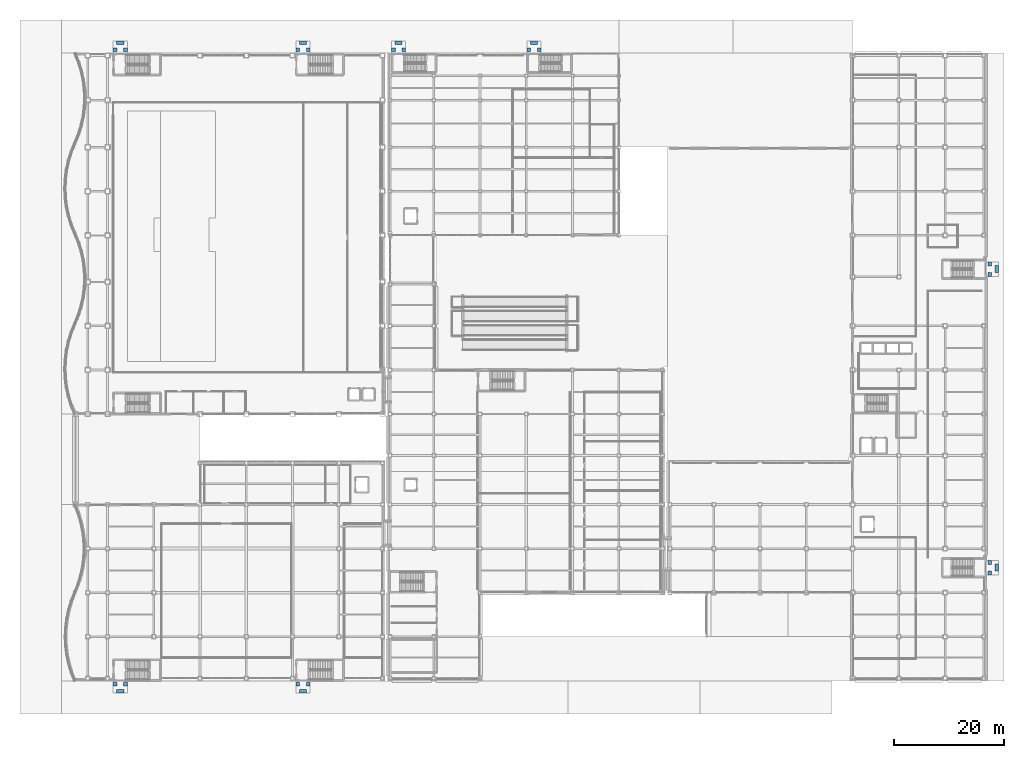
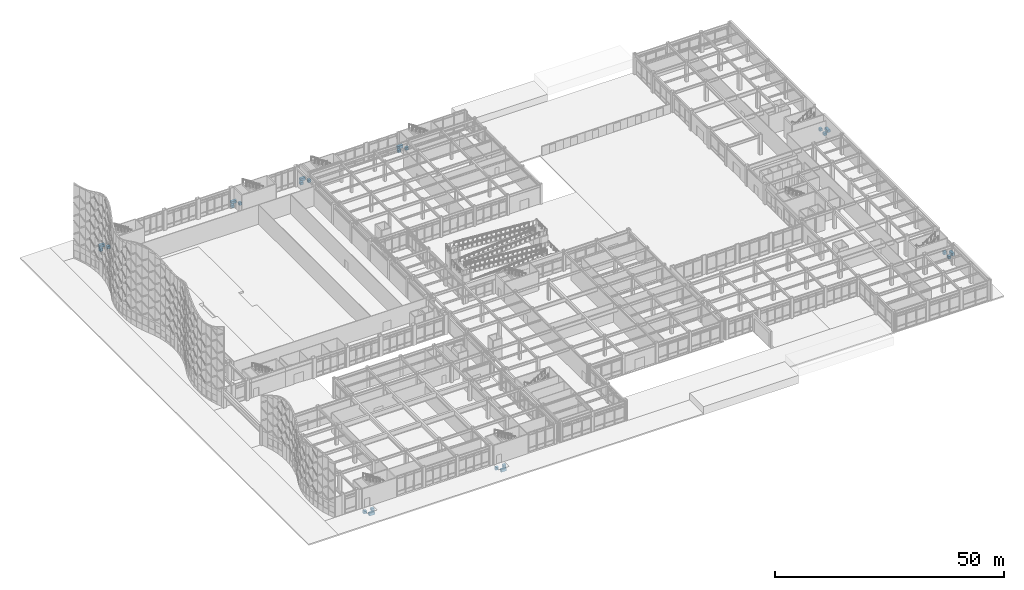
# One storey, part 1 of 165: 24 footings.
"""IFC4 building model written with IfcOpenShell, lengths in metres."""

from ifc_helpers import new_model, si_unit, direction, frame, origin, place, context, subcontext, project, spatial, polyline, outline, extrude, material, type_object, element, save


model = new_model("IFC4")

# Units and contexts
model_context = context("Model", 3, precision=1e-05, world=origin(), true_north=direction((0.0, 1.0)))
body_context = subcontext(model_context, "Body", "Model", "MODEL_VIEW")
ifc_project = project(units=[si_unit("LENGTHUNIT", "METRE"), si_unit("AREAUNIT", "SQUARE_METRE"), si_unit("VOLUMEUNIT", "CUBIC_METRE"), si_unit("PLANEANGLEUNIT", "RADIAN"), si_unit("MASSUNIT", "GRAM", prefix="KILO")], contexts=[model_context])

# Site, building, storey
site_placement = place(None, origin())
site = spatial("IfcSite", under=ifc_project, at=site_placement, CompositionType="ELEMENT")
building_placement = place(site_placement, origin())
building = spatial("IfcBuilding", under=site, at=building_placement, Name="Kazehara Bluff Congress Hotel", CompositionType="ELEMENT")
storey_placement = place(building_placement, origin())
storey = spatial("IfcBuildingStorey", under=building, at=storey_placement, Name="L00", CompositionType="ELEMENT", Elevation=0.0)

# Footings
ifc_material = material(Name="Concrete C36/45", Category="concrete")
footing_type = type_object("IfcFootingType", Name="TP-SF-RMP", PredefinedType="STRIP_FOOTING", material=ifc_material)
footing_1_placement = place(storey_placement, frame((0.0, 0.0, -0.949951171875)))
element("IfcFooting", 1, at=footing_1_placement, inside=storey, type_object=footing_type, Name="Exit threshold footing ST-01-A", PredefinedType="STRIP_FOOTING", context=body_context, shape_type="SweptSolid", body=[
    extrude(outline(polyline([(9.39990234375, 114.300048828125), (10.10009765625, 114.300048828125), (10.10009765625, 114.949951171875), (9.39990234375, 114.949951171875), (9.39990234375, 114.300048828125)])), origin(), (0.0, 0.0, 1.0), 0.699951171875),
])
footing_2_placement = place(storey_placement, frame((0.0, 0.0, -0.949951171875)))
element("IfcFooting", 2, at=footing_2_placement, inside=storey, type_object=footing_type, Name="Exit threshold footing ST-01-B", PredefinedType="STRIP_FOOTING", context=body_context, shape_type="SweptSolid", body=[
    extrude(outline(polyline([(11.300048828125, 114.300048828125), (12.0, 114.300048828125), (12.0, 114.949951171875), (11.300048828125, 114.949951171875), (11.300048828125, 114.300048828125)])), origin(), (0.0, 0.0, 1.0), 0.699951171875),
])
footing_3_placement = place(storey_placement, frame((0.0, 0.0, -0.949951171875)))
element("IfcFooting", 3, at=footing_3_placement, inside=storey, type_object=footing_type, Name="Exit threshold footing ST-01-C", PredefinedType="STRIP_FOOTING", context=body_context, shape_type="SweptSolid", body=[
    extrude(outline(polyline([(10.050048828125, 115.550048828125), (11.35009765625, 115.550048828125), (11.35009765625, 116.199951171875), (10.050048828125, 116.199951171875), (10.050048828125, 115.550048828125)])), origin(), (0.0, 0.0, 1.0), 0.699951171875),
])
footing_4_placement = place(storey_placement, frame((0.0, 0.0, -0.949951171875)))
element("IfcFooting", 4, at=footing_4_placement, inside=storey, type_object=footing_type, Name="Exit threshold footing ST-02-A", PredefinedType="STRIP_FOOTING", context=body_context, shape_type="SweptSolid", body=[
    extrude(outline(polyline([(42.60009765625, 114.300048828125), (43.300048828125, 114.300048828125), (43.300048828125, 114.949951171875), (42.60009765625, 114.949951171875), (42.60009765625, 114.300048828125)])), origin(), (0.0, 0.0, 1.0), 0.699951171875),
])
footing_5_placement = place(storey_placement, frame((0.0, 0.0, -0.949951171875)))
element("IfcFooting", 5, at=footing_5_placement, inside=storey, type_object=footing_type, Name="Exit threshold footing ST-02-B", PredefinedType="STRIP_FOOTING", context=body_context, shape_type="SweptSolid", body=[
    extrude(outline(polyline([(44.5, 114.300048828125), (45.199951171875, 114.300048828125), (45.199951171875, 114.949951171875), (44.5, 114.949951171875), (44.5, 114.300048828125)])), origin(), (0.0, 0.0, 1.0), 0.699951171875),
])
footing_6_placement = place(storey_placement, frame((0.0, 0.0, -0.949951171875)))
element("IfcFooting", 6, at=footing_6_placement, inside=storey, type_object=footing_type, Name="Exit threshold footing ST-02-C", PredefinedType="STRIP_FOOTING", context=body_context, shape_type="SweptSolid", body=[
    extrude(outline(polyline([(43.25, 115.550048828125), (44.550048828125, 115.550048828125), (44.550048828125, 116.199951171875), (43.25, 116.199951171875), (43.25, 115.550048828125)])), origin(), (0.0, 0.0, 1.0), 0.699951171875),
])
footing_7_placement = place(storey_placement, frame((0.0, 0.0, -0.949951171875)))
element("IfcFooting", 7, at=footing_7_placement, inside=storey, type_object=footing_type, Name="Exit threshold footing ST-04-A", PredefinedType="STRIP_FOOTING", context=body_context, shape_type="SweptSolid", body=[
    extrude(outline(polyline([(9.39990234375, -0.949951171875), (10.10009765625, -0.949951171875), (10.10009765625, -0.300048828125), (9.39990234375, -0.300048828125), (9.39990234375, -0.949951171875)])), origin(), (0.0, 0.0, 1.0), 0.699951171875),
])
footing_8_placement = place(storey_placement, frame((0.0, 0.0, -0.949951171875)))
element("IfcFooting", 8, at=footing_8_placement, inside=storey, type_object=footing_type, Name="Exit threshold footing ST-04-B", PredefinedType="STRIP_FOOTING", context=body_context, shape_type="SweptSolid", body=[
    extrude(outline(polyline([(11.300048828125, -0.949951171875), (12.0, -0.949951171875), (12.0, -0.300048828125), (11.300048828125, -0.300048828125), (11.300048828125, -0.949951171875)])), origin(), (0.0, 0.0, 1.0), 0.699951171875),
])
footing_9_placement = place(storey_placement, frame((0.0, 0.0, -0.949951171875)))
element("IfcFooting", 9, at=footing_9_placement, inside=storey, type_object=footing_type, Name="Exit threshold footing ST-04-C", PredefinedType="STRIP_FOOTING", context=body_context, shape_type="SweptSolid", body=[
    extrude(outline(polyline([(10.050048828125, -2.199951171875), (11.35009765625, -2.199951171875), (11.35009765625, -1.550048828125), (10.050048828125, -1.550048828125), (10.050048828125, -2.199951171875)])), origin(), (0.0, 0.0, 1.0), 0.699951171875),
])
footing_10_placement = place(storey_placement, frame((0.0, 0.0, -0.949951171875)))
element("IfcFooting", 10, at=footing_10_placement, inside=storey, type_object=footing_type, Name="Exit threshold footing ST-05-A", PredefinedType="STRIP_FOOTING", context=body_context, shape_type="SweptSolid", body=[
    extrude(outline(polyline([(42.60009765625, -0.949951171875), (43.300048828125, -0.949951171875), (43.300048828125, -0.300048828125), (42.60009765625, -0.300048828125), (42.60009765625, -0.949951171875)])), origin(), (0.0, 0.0, 1.0), 0.699951171875),
])
footing_11_placement = place(storey_placement, frame((0.0, 0.0, -0.949951171875)))
element("IfcFooting", 11, at=footing_11_placement, inside=storey, type_object=footing_type, Name="Exit threshold footing ST-05-B", PredefinedType="STRIP_FOOTING", context=body_context, shape_type="SweptSolid", body=[
    extrude(outline(polyline([(44.5, -0.949951171875), (45.199951171875, -0.949951171875), (45.199951171875, -0.300048828125), (44.5, -0.300048828125), (44.5, -0.949951171875)])), origin(), (0.0, 0.0, 1.0), 0.699951171875),
])
footing_12_placement = place(storey_placement, frame((0.0, 0.0, -0.949951171875)))
element("IfcFooting", 12, at=footing_12_placement, inside=storey, type_object=footing_type, Name="Exit threshold footing ST-05-C", PredefinedType="STRIP_FOOTING", context=body_context, shape_type="SweptSolid", body=[
    extrude(outline(polyline([(43.25, -2.199951171875), (44.550048828125, -2.199951171875), (44.550048828125, -1.550048828125), (43.25, -1.550048828125), (43.25, -2.199951171875)])), origin(), (0.0, 0.0, 1.0), 0.699951171875),
])
footing_13_placement = place(storey_placement, frame((0.0, 0.0, -0.949951171875)))
element("IfcFooting", 13, at=footing_13_placement, inside=storey, type_object=footing_type, Name="Exit threshold footing ST-06-A", PredefinedType="STRIP_FOOTING", context=body_context, shape_type="SweptSolid", body=[
    extrude(outline(polyline([(59.949951171875, 114.300048828125), (60.64990234375, 114.300048828125), (60.64990234375, 114.949951171875), (59.949951171875, 114.949951171875), (59.949951171875, 114.300048828125)])), origin(), (0.0, 0.0, 1.0), 0.699951171875),
])
footing_14_placement = place(storey_placement, frame((0.0, 0.0, -0.949951171875)))
element("IfcFooting", 14, at=footing_14_placement, inside=storey, type_object=footing_type, Name="Exit threshold footing ST-06-B", PredefinedType="STRIP_FOOTING", context=body_context, shape_type="SweptSolid", body=[
    extrude(outline(polyline([(61.85009765625, 114.300048828125), (62.550048828125, 114.300048828125), (62.550048828125, 114.949951171875), (61.85009765625, 114.949951171875), (61.85009765625, 114.300048828125)])), origin(), (0.0, 0.0, 1.0), 0.699951171875),
])
footing_15_placement = place(storey_placement, frame((0.0, 0.0, -0.949951171875)))
element("IfcFooting", 15, at=footing_15_placement, inside=storey, type_object=footing_type, Name="Exit threshold footing ST-06-C", PredefinedType="STRIP_FOOTING", context=body_context, shape_type="SweptSolid", body=[
    extrude(outline(polyline([(60.60009765625, 115.550048828125), (61.89990234375, 115.550048828125), (61.89990234375, 116.199951171875), (60.60009765625, 116.199951171875), (60.60009765625, 115.550048828125)])), origin(), (0.0, 0.0, 1.0), 0.699951171875),
])
footing_16_placement = place(storey_placement, frame((0.0, 0.0, -0.949951171875)))
element("IfcFooting", 16, at=footing_16_placement, inside=storey, type_object=footing_type, Name="Exit threshold footing ST-07-A", PredefinedType="STRIP_FOOTING", context=body_context, shape_type="SweptSolid", body=[
    extrude(outline(polyline([(84.550048828125, 114.300048828125), (85.25, 114.300048828125), (85.25, 114.949951171875), (84.550048828125, 114.949951171875), (84.550048828125, 114.300048828125)])), origin(), (0.0, 0.0, 1.0), 0.699951171875),
])
footing_17_placement = place(storey_placement, frame((0.0, 0.0, -0.949951171875)))
element("IfcFooting", 17, at=footing_17_placement, inside=storey, type_object=footing_type, Name="Exit threshold footing ST-07-B", PredefinedType="STRIP_FOOTING", context=body_context, shape_type="SweptSolid", body=[
    extrude(outline(polyline([(86.449951171875, 114.300048828125), (87.14990234375, 114.300048828125), (87.14990234375, 114.949951171875), (86.449951171875, 114.949951171875), (86.449951171875, 114.300048828125)])), origin(), (0.0, 0.0, 1.0), 0.699951171875),
])
footing_18_placement = place(storey_placement, frame((0.0, 0.0, -0.949951171875)))
element("IfcFooting", 18, at=footing_18_placement, inside=storey, type_object=footing_type, Name="Exit threshold footing ST-07-C", PredefinedType="STRIP_FOOTING", context=body_context, shape_type="SweptSolid", body=[
    extrude(outline(polyline([(85.199951171875, 115.550048828125), (86.5, 115.550048828125), (86.5, 116.199951171875), (85.199951171875, 116.199951171875), (85.199951171875, 115.550048828125)])), origin(), (0.0, 0.0, 1.0), 0.699951171875),
])
footing_19_placement = place(storey_placement, frame((0.0, 0.0, -0.949951171875)))
element("IfcFooting", 19, at=footing_19_placement, inside=storey, type_object=footing_type, Name="Exit threshold footing ST-10-A", PredefinedType="STRIP_FOOTING", context=body_context, shape_type="SweptSolid", body=[
    extrude(outline(polyline([(168.300048828125, 19.25), (168.949951171875, 19.25), (168.949951171875, 19.949951171875), (168.300048828125, 19.949951171875), (168.300048828125, 19.25)])), origin(), (0.0, 0.0, 1.0), 0.699951171875),
])
footing_20_placement = place(storey_placement, frame((0.0, 0.0, -0.949951171875)))
element("IfcFooting", 20, at=footing_20_placement, inside=storey, type_object=footing_type, Name="Exit threshold footing ST-10-B", PredefinedType="STRIP_FOOTING", context=body_context, shape_type="SweptSolid", body=[
    extrude(outline(polyline([(168.300048828125, 21.14990234375), (168.949951171875, 21.14990234375), (168.949951171875, 21.85009765625), (168.300048828125, 21.85009765625), (168.300048828125, 21.14990234375)])), origin(), (0.0, 0.0, 1.0), 0.699951171875),
])
footing_21_placement = place(storey_placement, frame((0.0, 0.0, -0.949951171875)))
element("IfcFooting", 21, at=footing_21_placement, inside=storey, type_object=footing_type, Name="Exit threshold footing ST-10-C", PredefinedType="STRIP_FOOTING", context=body_context, shape_type="SweptSolid", body=[
    extrude(outline(polyline([(169.550048828125, 19.89990234375), (170.199951171875, 19.89990234375), (170.199951171875, 21.199951171875), (169.550048828125, 21.199951171875), (169.550048828125, 19.89990234375)])), origin(), (0.0, 0.0, 1.0), 0.699951171875),
])
footing_22_placement = place(storey_placement, frame((0.0, 0.0, -0.949951171875)))
element("IfcFooting", 22, at=footing_22_placement, inside=storey, type_object=footing_type, Name="Exit threshold footing ST-12-A", PredefinedType="STRIP_FOOTING", context=body_context, shape_type="SweptSolid", body=[
    extrude(outline(polyline([(168.300048828125, 73.449951171875), (168.949951171875, 73.449951171875), (168.949951171875, 74.14990234375), (168.300048828125, 74.14990234375), (168.300048828125, 73.449951171875)])), origin(), (0.0, 0.0, 1.0), 0.699951171875),
])
footing_23_placement = place(storey_placement, frame((0.0, 0.0, -0.949951171875)))
element("IfcFooting", 23, at=footing_23_placement, inside=storey, type_object=footing_type, Name="Exit threshold footing ST-12-B", PredefinedType="STRIP_FOOTING", context=body_context, shape_type="SweptSolid", body=[
    extrude(outline(polyline([(168.300048828125, 75.35009765625), (168.949951171875, 75.35009765625), (168.949951171875, 76.050048828125), (168.300048828125, 76.050048828125), (168.300048828125, 75.35009765625)])), origin(), (0.0, 0.0, 1.0), 0.699951171875),
])
footing_24_placement = place(storey_placement, frame((0.0, 0.0, -0.949951171875)))
element("IfcFooting", 24, at=footing_24_placement, inside=storey, type_object=footing_type, Name="Exit threshold footing ST-12-C", PredefinedType="STRIP_FOOTING", context=body_context, shape_type="SweptSolid", body=[
    extrude(outline(polyline([(169.550048828125, 74.10009765625), (170.199951171875, 74.10009765625), (170.199951171875, 75.39990234375), (169.550048828125, 75.39990234375), (169.550048828125, 74.10009765625)])), origin(), (0.0, 0.0, 1.0), 0.699951171875),
])

save(model, "model.ifc")
